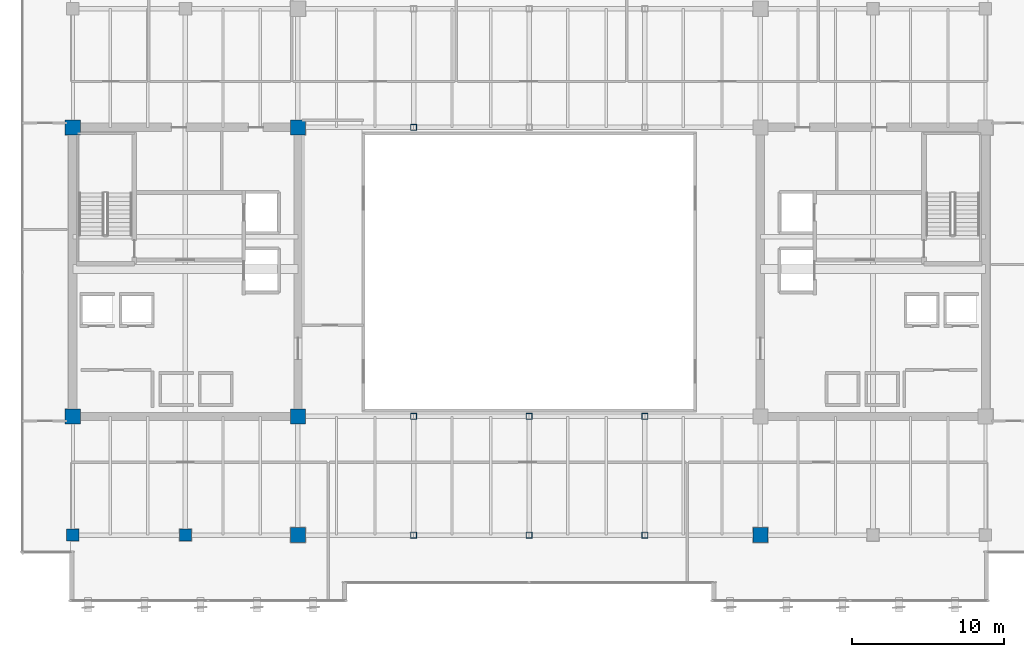
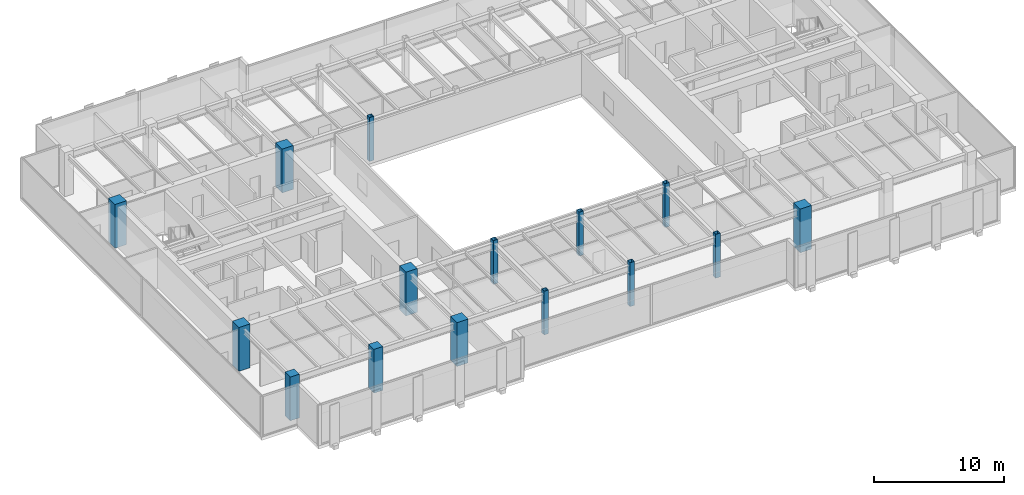
# One storey, part 1 of 35: 15 columns.
"""IFC4 building model written with IfcOpenShell, lengths in metres."""

from ifc_helpers import new_model, si_unit, direction, frame, origin, origin_2d, place, context, subcontext, project, spatial, rectangle, hollow_rectangle, extrude, source, transform, mapped, material, material_profile, profile_set, type_object, type_shapes, element, save


model = new_model("IFC4")

# Units and contexts
model_context = context("Model", 3, precision=1e-05, world=origin(), true_north=direction((0.0, 1.0)))
body_context = subcontext(model_context, "Body", "Model", "MODEL_VIEW")
ifc_project = project(units=[si_unit("LENGTHUNIT", "METRE"), si_unit("AREAUNIT", "SQUARE_METRE"), si_unit("VOLUMEUNIT", "CUBIC_METRE"), si_unit("PLANEANGLEUNIT", "RADIAN"), si_unit("MASSUNIT", "GRAM", prefix="KILO")], contexts=[model_context])

# Site, building, storey
site_placement = place(None, origin())
site = spatial("IfcSite", under=ifc_project, at=site_placement, CompositionType="ELEMENT")
building_placement = place(site_placement, origin())
building = spatial("IfcBuilding", under=site, at=building_placement, Name="Haelvirn Gate Laboratories", CompositionType="ELEMENT")
storey_placement = place(building_placement, frame((0.0, 0.0, 201.39990234375)))
storey = spatial("IfcBuildingStorey", under=building, at=storey_placement, Name="L48", CompositionType="ELEMENT", Elevation=201.39990234375)

# Columns
ifc_material_1 = material(Name="Concrete C60/75", Category="concrete")
ifc_material_profile_1 = material_profile(ifc_material_1, rectangle(XDim=1.0, YDim=1.0, at=origin_2d()), Name="RC-1000x1000")
ifc_profile_set_1 = profile_set([ifc_material_profile_1], Name="Concrete C60/75")
column_type_1 = type_object("IfcColumnType", Name="COL-RC-1000", PredefinedType="COLUMN", material=ifc_profile_set_1)
shared_shape_1 = source(origin(), body_context, "Body", "SweptSolid", [
    extrude(rectangle(XDim=1.0, YDim=1.0, at=origin_2d()), origin(), (0.0, 0.0, 1.0), 4.10009765625),
])
type_shapes(column_type_1, [shared_shape_1])
for number, where, z_axis, x_axis, name in (
    (1, (22.199951171875, 7.0, 0.0), (0.0, 0.0, 1.0), (1.0, 0.0, 0.0), "L48 Column 4B"),
    (2, (7.39990234375, 14.800048828125, 0.0), (0.0, 0.0, 1.0), (1.0, 0.0, 0.0), "L48 Column 2C"),
    (3, (22.199951171875, 14.800048828125, 0.0), (0.0, 0.0, 1.0), (1.0, 0.0, 0.0), "L48 Column 4C"),
    (4, (7.39990234375, 33.800048828125, 0.0), (0.0, 0.0, 1.0), (1.0, 0.0, 0.0), "L48 Column 2F"),
    (5, (22.199951171875, 33.800048828125, 0.0), (0.0, 0.0, 1.0), (1.0, 0.0, 0.0), "L48 Column 4F"),
    (6, (52.60009765625, 7.0, 0.0), (0.0, 0.0, 1.0), (1.0, 0.0, 0.0), "L48 Column 8B"),
):
    element("IfcColumn", number, at=place(storey_placement, frame(where, z_axis=z_axis, x_axis=x_axis)), inside=storey, type_object=column_type_1, Name=name, PredefinedType="COLUMN", context=body_context, shape_type="MappedRepresentation", body=[
        mapped(shared_shape_1, transform((0.0, 0.0, 0.0), scale=1.0)),
    ])
ifc_material_2 = material(Name="Concrete C50/60", Category="concrete")
ifc_material_profile_2 = material_profile(ifc_material_2, rectangle(XDim=0.800048828125, YDim=0.800048828125, at=origin_2d()), Name="RC-800x800")
ifc_profile_set_2 = profile_set([ifc_material_profile_2], Name="Concrete C50/60")
column_type_2 = type_object("IfcColumnType", Name="COL-RC-800", PredefinedType="COLUMN", material=ifc_profile_set_2)
shared_shape_2 = source(origin(), body_context, "Body", "SweptSolid", [
    extrude(rectangle(XDim=0.800048828125, YDim=0.800048828125, at=origin_2d()), origin(), (0.0, 0.0, 1.0), 4.10009765625),
])
type_shapes(column_type_2, [shared_shape_2])
for number, where, z_axis, x_axis, name in (
    (7, (14.800048828125, 7.0, 0.0), (0.0, 0.0, 1.0), (1.0, 0.0, 0.0), "L48 Column 3B"),
    (8, (7.39990234375, 7.0, 0.0), (0.0, 0.0, 1.0), (1.0, 0.0, 0.0), "L48 Column 2B"),
):
    element("IfcColumn", number, at=place(storey_placement, frame(where, z_axis=z_axis, x_axis=x_axis)), inside=storey, type_object=column_type_2, Name=name, PredefinedType="COLUMN", context=body_context, shape_type="MappedRepresentation", body=[
        mapped(shared_shape_2, transform((0.0, 0.0, 0.0), scale=1.0)),
    ])
ifc_material_3 = material(Name="Steel SM355", Category="steel")
ifc_material_profile_3 = material_profile(ifc_material_3, hollow_rectangle(XDim=0.39990234375, YDim=0.39990234375, WallThickness=0.01904296875, at=origin_2d()), Name="BOX-400x400x19")
ifc_profile_set_3 = profile_set([ifc_material_profile_3], Name="Steel SM355")
column_type_3 = type_object("IfcColumnType", Name="COL-BOX-400", PredefinedType="COLUMN", material=ifc_profile_set_3)
shared_shape_3 = source(origin(), body_context, "Body", "SweptSolid", [
    extrude(hollow_rectangle(XDim=0.39990234375, YDim=0.39990234375, WallThickness=0.01904296875, at=origin_2d()), origin(), (0.0, 0.0, 1.0), 4.10009765625),
])
type_shapes(column_type_3, [shared_shape_3])
for number, where, z_axis, x_axis, name in (
    (9, (29.800048828125, 7.0, 0.0), (0.0, 0.0, 1.0), (1.0, 0.0, 0.0), "L48 Column 5B"),
    (10, (29.800048828125, 14.800048828125, 0.0), (0.0, 0.0, 1.0), (1.0, 0.0, 0.0), "L48 Column 5C"),
    (11, (29.800048828125, 33.800048828125, 0.0), (0.0, 0.0, 1.0), (1.0, 0.0, 0.0), "L48 Column 5F"),
    (12, (37.39990234375, 7.0, 0.0), (0.0, 0.0, 1.0), (1.0, 0.0, 0.0), "L48 Column 6B"),
    (13, (37.39990234375, 14.800048828125, 0.0), (0.0, 0.0, 1.0), (1.0, 0.0, 0.0), "L48 Column 6C"),
    (14, (45.0, 7.0, 0.0), (0.0, 0.0, 1.0), (1.0, 0.0, 0.0), "L48 Column 7B"),
    (15, (45.0, 14.800048828125, 0.0), (0.0, 0.0, 1.0), (1.0, 0.0, 0.0), "L48 Column 7C"),
):
    element("IfcColumn", number, at=place(storey_placement, frame(where, z_axis=z_axis, x_axis=x_axis)), inside=storey, type_object=column_type_3, Name=name, PredefinedType="COLUMN", context=body_context, shape_type="MappedRepresentation", body=[
        mapped(shared_shape_3, transform((0.0, 0.0, 0.0), scale=1.0)),
    ])

save(model, "model.ifc")
